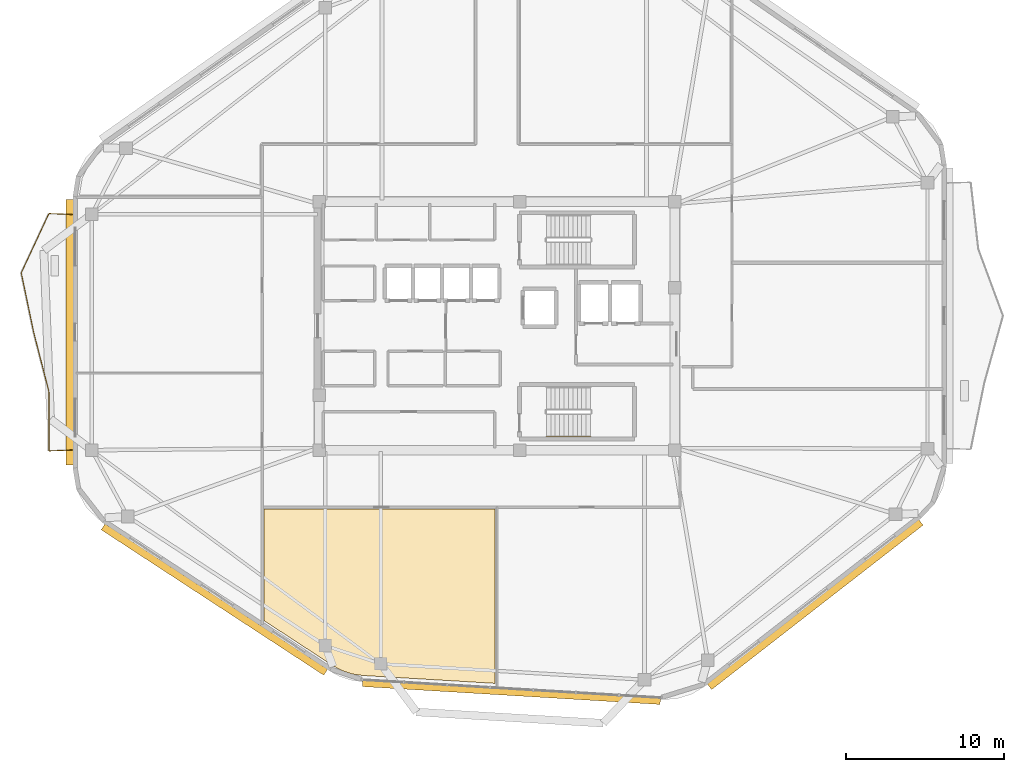
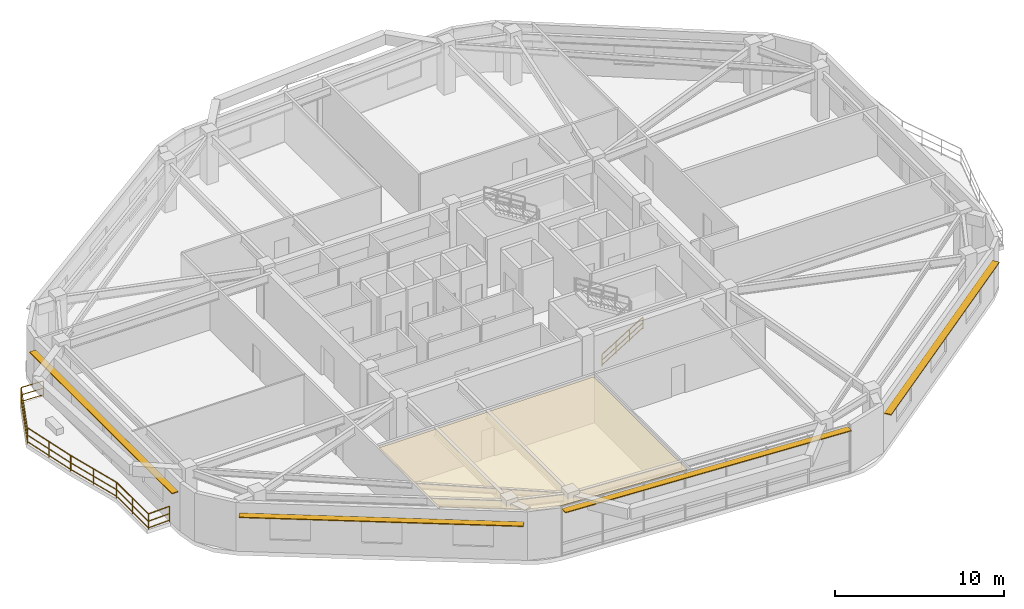
# One storey, part 10 of 12: 7 railings, 4 shading devices, 1 covering.
"""IFC4 building model written with IfcOpenShell, lengths in metres."""

from ifc_helpers import new_model, si_unit, direction, frame, origin, origin_2d, place, context, subcontext, project, spatial, polyline, rectangle, outline, extrude, material, layer, layer_set, type_object, element, save


model = new_model("IFC4")

# Units and contexts
model_context = context("Model", 3, precision=1e-05, world=origin(), true_north=direction((0.0, 1.0)))
body_context = subcontext(model_context, "Body", "Model", "MODEL_VIEW")
ifc_project = project(units=[si_unit("LENGTHUNIT", "METRE"), si_unit("AREAUNIT", "SQUARE_METRE"), si_unit("VOLUMEUNIT", "CUBIC_METRE"), si_unit("PLANEANGLEUNIT", "RADIAN"), si_unit("MASSUNIT", "GRAM", prefix="KILO")], contexts=[model_context])

# Site, building, storey
site_placement = place(None, origin())
site = spatial("IfcSite", under=ifc_project, at=site_placement, CompositionType="ELEMENT")
building_placement = place(site_placement, origin())
building = spatial("IfcBuilding", under=site, at=building_placement, Name="Zulverin Broadcast Headquarters", CompositionType="ELEMENT")
storey_placement = place(building_placement, frame((0.0, 0.0, 232.60009765625)))
storey = spatial("IfcBuildingStorey", under=building, at=storey_placement, Name="L59", CompositionType="ELEMENT", Elevation=232.60009765625)

# Covering
ifc_material_1 = material(Name="Perforated pale-metal acoustic baffle ceiling", Category="aluminium")
ifc_layer_1 = layer(ifc_material_1, 0.0400390625, Name="Perforated pale-metal acoustic baffle ceiling", Category="aluminium")
ifc_layer_set_1 = layer_set([ifc_layer_1], Name="Perforated pale-metal acoustic baffle ceiling")
covering_type = type_object("IfcCoveringType", Name="COV-CEIL-ACOU", PredefinedType="CEILING", material=ifc_layer_set_1)
covering_placement = place(storey_placement, frame((0.0, 0.0, 3.329833984375)))
element("IfcCovering", 1, at=covering_placement, inside=storey, type_object=covering_type, Name="L59 Acoustic Baffle Ceiling 03", PredefinedType="CEILING", context=body_context, shape_type="SweptSolid", body=[
    extrude(outline(polyline([(27.18798828125, 3.33203125), (27.7958984375, 3.1279296875), (28.444091796875, 3.031982421875), (36.8798828125, 2.528076171875), (36.8798828125, 13.580078125), (22.219970703125, 13.580078125), (22.219970703125, 6.508056640625), (26.60791015625, 3.639892578125), (27.18798828125, 3.33203125)])), origin(), (0.0, 0.0, 1.0), 0.0400390625),
])

# Railings
ifc_material_2 = material(Name="Brushed stainless steel & laminated glass balustrade", Category="steel")
railing_type_1 = type_object("IfcRailingType", Name="RL-GUARD-1150", PredefinedType="GUARDRAIL", material=ifc_material_2)
railing_1_placement = place(storey_placement, frame((10.06005859375, 32.265380859375, 0.0)))
element("IfcRailing", 2, at=railing_1_placement, inside=storey, type_object=railing_type_1, Name="L59 Vertical-Forest Balcony Guardrail BAL_W Segment 01", PredefinedType="GUARDRAIL", context=body_context, shape_type="SweptSolid", body=[
    extrude(rectangle(XDim=0.048095703125, YDim=0.048095703125, at=origin_2d()), frame((0.0, 0.0, 1.1259765625), z_axis=(-0.999181155166, 0.040460093435, 0.0), x_axis=(-0.040460093435, -0.999181155166, 0.0)), (0.0, 0.0, 1.0), 1.46630859375),
    extrude(rectangle(XDim=0.0419921875, YDim=0.0419921875, at=origin_2d()), frame((0.0, 0.0, 0.597900390625), z_axis=(-0.999181155166, 0.040460093435, 0.0), x_axis=(-0.040460093435, -0.999181155166, 0.0)), (0.0, 0.0, 1.0), 1.46630859375),
    extrude(rectangle(XDim=0.0419921875, YDim=0.0419921875, at=origin_2d()), frame((0.0, 0.0, 0.1201171875), z_axis=(-0.999181155166, 0.040460093435, 0.0), x_axis=(-0.040460093435, -0.999181155166, 0.0)), (0.0, 0.0, 1.0), 1.46630859375),
    extrude(rectangle(XDim=0.0419921875, YDim=0.0419921875, at=origin_2d()), origin(), (0.0, 0.0, 1.0), 1.101806640625),
    extrude(rectangle(XDim=0.0419921875, YDim=0.0419921875, at=origin_2d()), frame((-1.465087890625, 0.059326171875, 0.0)), (0.0, 0.0, 1.0), 1.101806640625),
])
railing_2_placement = place(storey_placement, frame((8.57373046875, 32.311767578125, 0.0)))
element("IfcRailing", 3, at=railing_2_placement, inside=storey, type_object=railing_type_1, Name="L59 Vertical-Forest Balcony Guardrail BAL_W Segment 02", PredefinedType="GUARDRAIL", context=body_context, shape_type="SweptSolid", body=[
    extrude(rectangle(XDim=0.048095703125, YDim=0.048095703125, at=origin_2d()), frame((0.0, 0.0, 1.1259765625), z_axis=(-0.422386173214, -0.90641597552, 0.0), x_axis=(0.90641597552, -0.422386173214, 0.0)), (0.0, 0.0, 1.0), 4.122802734375),
    extrude(rectangle(XDim=0.0419921875, YDim=0.0419921875, at=origin_2d()), frame((0.0, 0.0, 0.597900390625), z_axis=(-0.422386173214, -0.90641597552, 0.0), x_axis=(0.90641597552, -0.422386173214, 0.0)), (0.0, 0.0, 1.0), 4.122802734375),
    extrude(rectangle(XDim=0.0419921875, YDim=0.0419921875, at=origin_2d()), frame((0.0, 0.0, 0.1201171875), z_axis=(-0.422386173214, -0.90641597552, 0.0), x_axis=(0.90641597552, -0.422386173214, 0.0)), (0.0, 0.0, 1.0), 4.122802734375),
    extrude(rectangle(XDim=0.0419921875, YDim=0.0419921875, at=origin_2d()), origin(), (0.0, 0.0, 1.0), 1.101806640625),
    extrude(rectangle(XDim=0.0419921875, YDim=0.0419921875, at=origin_2d()), frame((-0.87060546875, -1.86865234375, 0.0)), (0.0, 0.0, 1.0), 1.101806640625),
    extrude(rectangle(XDim=0.0419921875, YDim=0.0419921875, at=origin_2d()), frame((-1.741455078125, -3.737060546875, 0.0)), (0.0, 0.0, 1.0), 1.101806640625),
])
railing_3_placement = place(storey_placement, frame((6.8291015625, 28.54638671875, 0.0)))
element("IfcRailing", 4, at=railing_3_placement, inside=storey, type_object=railing_type_1, Name="L59 Vertical-Forest Balcony Guardrail BAL_W Segment 03", PredefinedType="GUARDRAIL", context=body_context, shape_type="SweptSolid", body=[
    extrude(rectangle(XDim=0.048095703125, YDim=0.048095703125, at=origin_2d()), frame((0.0, 0.0, 1.1259765625), z_axis=(0.204575158327, -0.97885085922, 0.0), x_axis=(0.97885085922, 0.204575158327, 0.0)), (0.0, 0.0, 1.0), 3.8154296875),
    extrude(rectangle(XDim=0.0419921875, YDim=0.0419921875, at=origin_2d()), frame((0.0, 0.0, 0.597900390625), z_axis=(0.204575158327, -0.97885085922, 0.0), x_axis=(0.97885085922, 0.204575158327, 0.0)), (0.0, 0.0, 1.0), 3.8154296875),
    extrude(rectangle(XDim=0.0419921875, YDim=0.0419921875, at=origin_2d()), frame((0.0, 0.0, 0.1201171875), z_axis=(0.204575158327, -0.97885085922, 0.0), x_axis=(0.97885085922, 0.204575158327, 0.0)), (0.0, 0.0, 1.0), 3.8154296875),
    extrude(rectangle(XDim=0.0419921875, YDim=0.0419921875, at=origin_2d()), origin(), (0.0, 0.0, 1.0), 1.101806640625),
    extrude(rectangle(XDim=0.0419921875, YDim=0.0419921875, at=origin_2d()), frame((0.39013671875, -1.8671875, 0.0)), (0.0, 0.0, 1.0), 1.101806640625),
    extrude(rectangle(XDim=0.0419921875, YDim=0.0419921875, at=origin_2d()), frame((0.780517578125, -3.734619140625, 0.0)), (0.0, 0.0, 1.0), 1.101806640625),
])
railing_4_placement = place(storey_placement, frame((7.616455078125, 24.782470703125, 0.0)))
element("IfcRailing", 5, at=railing_4_placement, inside=storey, type_object=railing_type_1, Name="L59 Vertical-Forest Balcony Guardrail BAL_W Segment 04", PredefinedType="GUARDRAIL", context=body_context, shape_type="SweptSolid", body=[
    extrude(rectangle(XDim=0.048095703125, YDim=0.048095703125, at=origin_2d()), frame((0.0, 0.0, 1.1259765625), z_axis=(0.248920581309, -0.968523899654, 0.0), x_axis=(0.968523899654, 0.248920581309, 0.0)), (0.0, 0.0, 1.0), 3.8564453125),
    extrude(rectangle(XDim=0.0419921875, YDim=0.0419921875, at=origin_2d()), frame((0.0, 0.0, 0.597900390625), z_axis=(0.248920581309, -0.968523899654, 0.0), x_axis=(0.968523899654, 0.248920581309, 0.0)), (0.0, 0.0, 1.0), 3.8564453125),
    extrude(rectangle(XDim=0.0419921875, YDim=0.0419921875, at=origin_2d()), frame((0.0, 0.0, 0.1201171875), z_axis=(0.248920581309, -0.968523899654, 0.0), x_axis=(0.968523899654, 0.248920581309, 0.0)), (0.0, 0.0, 1.0), 3.8564453125),
    extrude(rectangle(XDim=0.0419921875, YDim=0.0419921875, at=origin_2d()), origin(), (0.0, 0.0, 1.0), 1.101806640625),
    extrude(rectangle(XDim=0.0419921875, YDim=0.0419921875, at=origin_2d()), frame((0.47998046875, -1.86767578125, 0.0)), (0.0, 0.0, 1.0), 1.101806640625),
    extrude(rectangle(XDim=0.0419921875, YDim=0.0419921875, at=origin_2d()), frame((0.9599609375, -3.735107421875, 0.0)), (0.0, 0.0, 1.0), 1.101806640625),
])
railing_5_placement = place(storey_placement, frame((8.580078125, 21.017822265625, 0.0)))
element("IfcRailing", 6, at=railing_5_placement, inside=storey, type_object=railing_type_1, Name="L59 Vertical-Forest Balcony Guardrail BAL_W Segment 05", PredefinedType="GUARDRAIL", context=body_context, shape_type="SweptSolid", body=[
    extrude(rectangle(XDim=0.048095703125, YDim=0.048095703125, at=origin_2d()), frame((0.0, 0.0, 1.1259765625), z_axis=(0.0, -1.0, 0.0), x_axis=(1.0, 0.0, 0.0)), (0.0, 0.0, 1.0), 3.734130859375),
    extrude(rectangle(XDim=0.0419921875, YDim=0.0419921875, at=origin_2d()), frame((0.0, 0.0, 0.597900390625), z_axis=(0.0, -1.0, 0.0), x_axis=(1.0, 0.0, 0.0)), (0.0, 0.0, 1.0), 3.734130859375),
    extrude(rectangle(XDim=0.0419921875, YDim=0.0419921875, at=origin_2d()), frame((0.0, 0.0, 0.1201171875), z_axis=(0.0, -1.0, 0.0), x_axis=(1.0, 0.0, 0.0)), (0.0, 0.0, 1.0), 3.734130859375),
    extrude(rectangle(XDim=0.0419921875, YDim=0.0419921875, at=origin_2d()), origin(), (0.0, 0.0, 1.0), 1.101806640625),
    extrude(rectangle(XDim=0.0419921875, YDim=0.0419921875, at=origin_2d()), frame((0.0, -1.8671875, 0.0)), (0.0, 0.0, 1.0), 1.101806640625),
    extrude(rectangle(XDim=0.0419921875, YDim=0.0419921875, at=origin_2d()), frame((0.0, -3.734130859375, 0.0)), (0.0, 0.0, 1.0), 1.101806640625),
])
railing_6_placement = place(storey_placement, frame((8.594970703125, 17.269287109375, 0.0)))
element("IfcRailing", 7, at=railing_6_placement, inside=storey, type_object=railing_type_1, Name="L59 Vertical-Forest Balcony Guardrail BAL_W Segment 06", PredefinedType="GUARDRAIL", context=body_context, shape_type="SweptSolid", body=[
    extrude(rectangle(XDim=0.048095703125, YDim=0.048095703125, at=origin_2d()), frame((0.0, 0.0, 1.1259765625), z_axis=(0.999181155166, 0.040460093435, 0.0), x_axis=(-0.040460093435, 0.999181155166, 0.0)), (0.0, 0.0, 1.0), 1.46630859375),
    extrude(rectangle(XDim=0.0419921875, YDim=0.0419921875, at=origin_2d()), frame((0.0, 0.0, 0.597900390625), z_axis=(0.999181155166, 0.040460093435, 0.0), x_axis=(-0.040460093435, 0.999181155166, 0.0)), (0.0, 0.0, 1.0), 1.46630859375),
    extrude(rectangle(XDim=0.0419921875, YDim=0.0419921875, at=origin_2d()), frame((0.0, 0.0, 0.1201171875), z_axis=(0.999181155166, 0.040460093435, 0.0), x_axis=(-0.040460093435, 0.999181155166, 0.0)), (0.0, 0.0, 1.0), 1.46630859375),
    extrude(rectangle(XDim=0.0419921875, YDim=0.0419921875, at=origin_2d()), origin(), (0.0, 0.0, 1.0), 1.101806640625),
    extrude(rectangle(XDim=0.0419921875, YDim=0.0419921875, at=origin_2d()), frame((1.465087890625, 0.059326171875, 0.0)), (0.0, 0.0, 1.0), 1.101806640625),
])
ifc_material_3 = material(Name="Brushed stainless steel 48 mm handrail", Category="steel")
railing_type_2 = type_object("IfcRailingType", Name="RL-ST-HAND", PredefinedType="HANDRAIL", material=ifc_material_3)
railing_7_placement = place(storey_placement, frame((40.1298828125, 18.199951171875, 0.172607421875)))
element("IfcRailing", 8, at=railing_7_placement, inside=storey, type_object=railing_type_2, Name="L59 ST-2 stair handrail 1", PredefinedType="HANDRAIL", context=body_context, shape_type="SweptSolid", body=[
    extrude(rectangle(XDim=0.048095703125, YDim=0.048095703125, at=origin_2d()), frame((0.0, 0.0, 0.8759765625), z_axis=(0.851089632645, 0.0, 0.525020415988), x_axis=(0.0, 1.0, 0.0)), (0.0, 0.0, 1.0), 3.2900390625),
    extrude(rectangle(XDim=0.0419921875, YDim=0.0419921875, at=origin_2d()), frame((0.0, 0.0, 0.468017578125), z_axis=(0.851089632645, 0.0, 0.525020415988), x_axis=(0.0, 1.0, 0.0)), (0.0, 0.0, 1.0), 3.2900390625),
    extrude(rectangle(XDim=0.0419921875, YDim=0.0419921875, at=origin_2d()), frame((0.0, 0.0, 0.1201171875), z_axis=(0.851089632645, 0.0, 0.525020415988), x_axis=(0.0, 1.0, 0.0)), (0.0, 0.0, 1.0), 3.2900390625),
    extrude(rectangle(XDim=0.0419921875, YDim=0.0419921875, at=origin_2d()), origin(), (0.0, 0.0, 1.0), 0.851806640625),
    extrude(rectangle(XDim=0.0419921875, YDim=0.0419921875, at=origin_2d()), frame((0.933349609375, 0.0, 0.57568359375)), (0.0, 0.0, 1.0), 0.851806640625),
    extrude(rectangle(XDim=0.0419921875, YDim=0.0419921875, at=origin_2d()), frame((1.86669921875, 0.0, 1.151611328125)), (0.0, 0.0, 1.0), 0.851806640625),
    extrude(rectangle(XDim=0.0419921875, YDim=0.0419921875, at=origin_2d()), frame((2.800048828125, 0.0, 1.727294921875)), (0.0, 0.0, 1.0), 0.851806640625),
])

# Shading devices
ifc_material_4 = material(Name="Anodized pale-metal aluminium sunshade", Category="aluminium")
ifc_layer_2 = layer(ifc_material_4, 0.06005859375, Name="Anodized pale-metal aluminium sunshade", Category="aluminium")
ifc_layer_set_2 = layer_set([ifc_layer_2], Name="Anodized pale-metal aluminium sunshade")
shading_device_type = type_object("IfcShadingDeviceType", Name="SS-01_PALE_METAL_ALUMINIUM_SUNSHADE", PredefinedType="USERDEFINED", material=ifc_layer_set_2)
shading_device_1_placement = place(storey_placement, frame((37.91015625, 1.98388671875, 3.27978515625), z_axis=(0.0, 0.0, 1.0), x_axis=(0.998202681386, -0.059928347834, 0.0)))
element("IfcShadingDevice", 9, at=shading_device_1_placement, inside=storey, type_object=shading_device_type, Name="L59 Pale-Metal Horizontal Sunshade Band CW-L59-E1", ObjectType="SUNSHADE", PredefinedType="USERDEFINED", context=body_context, shape_type="SweptSolid", body=[
    extrude(rectangle(XDim=18.919677734375, YDim=0.449951171875, at=origin_2d()), origin(), (0.0, 0.0, 1.0), 0.06005859375),
])
shading_device_2_placement = place(storey_placement, frame((57.176025390625, 7.52685546875, 2.7099609375), z_axis=(0.0, 0.0, 1.0), x_axis=(0.789459183061, 0.613803061479, 0.0)))
element("IfcShadingDevice", 10, at=shading_device_2_placement, inside=storey, type_object=shading_device_type, Name="L59 Horizontal Pale-Metal Sunshade Band 2", ObjectType="SUNSHADE", PredefinedType="USERDEFINED", context=body_context, shape_type="SweptSolid", body=[
    extrude(rectangle(XDim=16.987548828125, YDim=0.449951171875, at=origin_2d()), origin(), (0.0, 0.0, 1.0), 0.06005859375),
])
shading_device_3_placement = place(storey_placement, frame((9.89990234375, 24.797119140625, 2.7099609375), z_axis=(0.0, 0.0, 1.0), x_axis=(0.0, -1.0, 0.0)))
element("IfcShadingDevice", 11, at=shading_device_3_placement, inside=storey, type_object=shading_device_type, Name="L59 Horizontal Pale-Metal Sunshade Band 7", ObjectType="SUNSHADE", PredefinedType="USERDEFINED", context=body_context, shape_type="SweptSolid", body=[
    extrude(rectangle(XDim=16.856689453125, YDim=0.449951171875, at=origin_2d()), origin(), (0.0, 0.0, 1.0), 0.06005859375),
])
shading_device_4_placement = place(storey_placement, frame((19.07177734375, 7.848388671875, 2.7099609375), z_axis=(0.0, 0.0, 1.0), x_axis=(0.837115830387, -0.54702567263, 0.0)))
element("IfcShadingDevice", 12, at=shading_device_4_placement, inside=storey, type_object=shading_device_type, Name="L59 Horizontal Pale-Metal Sunshade Band 8", ObjectType="SUNSHADE", PredefinedType="USERDEFINED", context=body_context, shape_type="SweptSolid", body=[
    extrude(rectangle(XDim=16.859130859375, YDim=0.449951171875, at=origin_2d()), origin(), (0.0, 0.0, 1.0), 0.06005859375),
])

save(model, "model.ifc")
